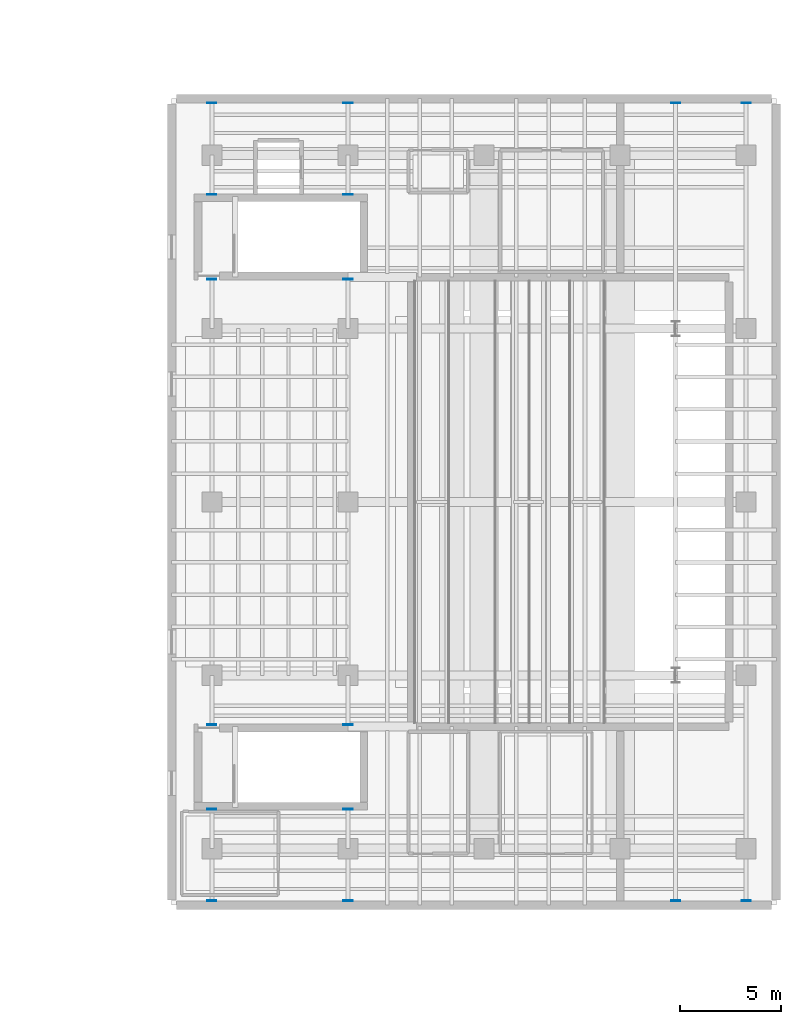
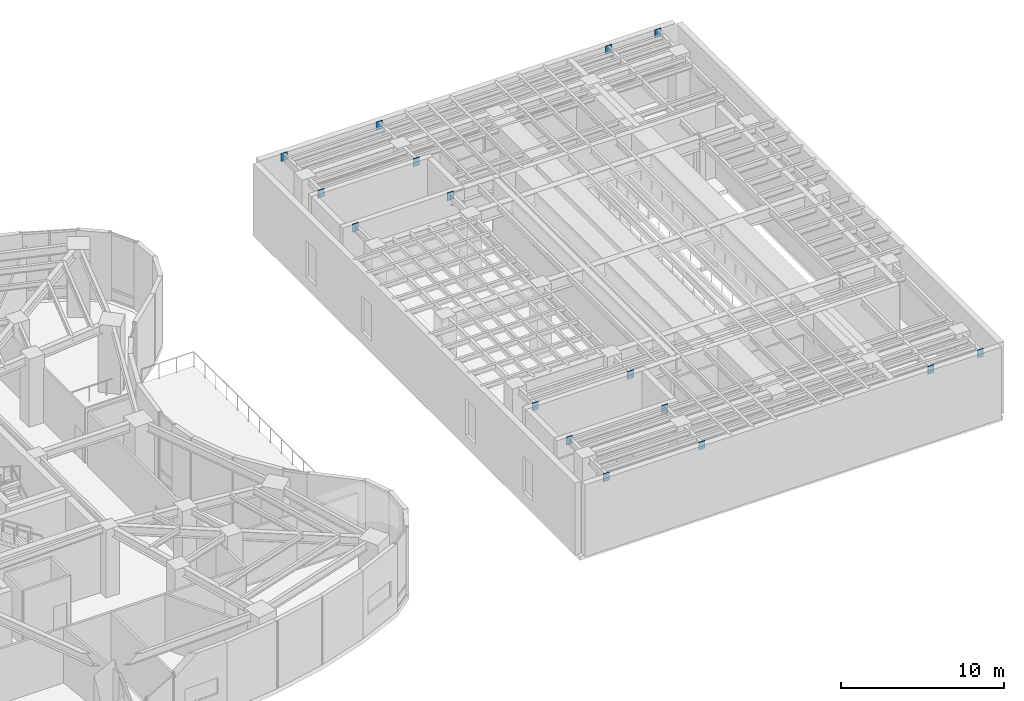
# One storey, part 11 of 19: 16 plates.
"""IFC4 building model written with IfcOpenShell, lengths in metres."""

from ifc_helpers import new_model, si_unit, direction, frame, origin, origin_2d, place, context, subcontext, project, spatial, rectangle, extrude, material, layer, layer_set, type_object, element, save


model = new_model("IFC4")

# Units and contexts
model_context = context("Model", 3, precision=1e-05, world=origin(), true_north=direction((0.0, 1.0)))
body_context = subcontext(model_context, "Body", "Model", "MODEL_VIEW")
ifc_project = project(units=[si_unit("LENGTHUNIT", "METRE"), si_unit("AREAUNIT", "SQUARE_METRE"), si_unit("VOLUMEUNIT", "CUBIC_METRE"), si_unit("PLANEANGLEUNIT", "RADIAN"), si_unit("MASSUNIT", "GRAM", prefix="KILO")], contexts=[model_context])

# Site, building, storey
site_placement = place(None, origin())
site = spatial("IfcSite", under=ifc_project, at=site_placement, CompositionType="ELEMENT")
building_placement = place(site_placement, origin())
building = spatial("IfcBuilding", under=site, at=building_placement, Name="Korentha Bioscience Tower", CompositionType="ELEMENT")
storey_placement = place(building_placement, frame((0.0, 0.0, 20.39990234375)))
storey = spatial("IfcBuildingStorey", under=building, at=storey_placement, Name="L04", CompositionType="ELEMENT", Elevation=20.39990234375)

# Plates
ifc_material = material(Name="Steel S355", Category="steel")
ifc_layer = layer(ifc_material, 0.0400390625, Name="Steel S355")
ifc_layer_set = layer_set([ifc_layer], Name="Steel S355 (EP-01)")
plate_type = type_object("IfcPlateType", Name="Cast-In Shear Wall Embed Plate 450x600x40", PredefinedType="USERDEFINED", material=ifc_layer_set)
for number, where, z_axis, x_axis, name in (
    (1, (66.5, 7.2099609375, 4.83349609375), (0.0, 0.0, 1.0), (1.0, 0.0, 0.0), "L04 Collector Shear-Wall Embed Plate A-1-1"),
    (2, (66.5, 11.75, 4.83349609375), (0.0, 0.0, 1.0), (1.0, 0.0, 0.0), "L04 Collector Shear-Wall Embed Plate B-1-2"),
    (3, (66.5, 15.949951171875, 4.83349609375), (0.0, 0.0, 1.0), (1.0, 0.0, 0.0), "L04 Collector Shear-Wall Embed Plate A-1-3"),
    (4, (66.5, 38.050048828125, 4.83349609375), (0.0, 0.0, 1.0), (1.0, 0.0, 0.0), "L04 Collector Shear-Wall Embed Plate B-1-6"),
    (5, (66.5, 42.25, 4.83349609375), (0.0, 0.0, 1.0), (1.0, 0.0, 0.0), "L04 Collector Shear-Wall Embed Plate A-1-7"),
    (6, (66.5, 46.7900390625, 4.83349609375), (0.0, 0.0, 1.0), (1.0, 0.0, 0.0), "L04 Collector Shear-Wall Embed Plate B-1-8"),
    (7, (73.25, 7.2099609375, 4.83349609375), (0.0, 0.0, 1.0), (1.0, 0.0, 0.0), "L04 Collector Shear-Wall Embed Plate A-2-1"),
    (8, (73.25, 11.75, 4.83349609375), (0.0, 0.0, 1.0), (1.0, 0.0, 0.0), "L04 Collector Shear-Wall Embed Plate B-2-2"),
    (9, (73.25, 15.949951171875, 4.83349609375), (0.0, 0.0, 1.0), (1.0, 0.0, 0.0), "L04 Collector Shear-Wall Embed Plate A-2-3"),
    (10, (73.25, 38.050048828125, 4.83349609375), (0.0, 0.0, 1.0), (1.0, 0.0, 0.0), "L04 Collector Shear-Wall Embed Plate B-2-6"),
    (11, (73.25, 42.25, 4.83349609375), (0.0, 0.0, 1.0), (1.0, 0.0, 0.0), "L04 Collector Shear-Wall Embed Plate A-2-7"),
    (12, (73.25, 46.7900390625, 4.83349609375), (0.0, 0.0, 1.0), (1.0, 0.0, 0.0), "L04 Collector Shear-Wall Embed Plate B-2-8"),
    (13, (89.5, 7.2099609375, 4.83349609375), (0.0, 0.0, 1.0), (1.0, 0.0, 0.0), "L04 Collector Shear-Wall Embed Plate A-3-1"),
    (14, (89.5, 46.7900390625, 4.83349609375), (0.0, 0.0, 1.0), (1.0, 0.0, 0.0), "L04 Collector Shear-Wall Embed Plate B-3-3"),
    (15, (93.0, 7.2099609375, 4.83349609375), (0.0, 0.0, 1.0), (1.0, 0.0, 0.0), "L04 Collector Shear-Wall Embed Plate A-4-1"),
    (16, (93.0, 46.7900390625, 4.83349609375), (0.0, 0.0, 1.0), (1.0, 0.0, 0.0), "L04 Collector Shear-Wall Embed Plate B-4-6"),
):
    element("IfcPlate", number, at=place(storey_placement, frame(where, z_axis=z_axis, x_axis=x_axis)), inside=storey, type_object=plate_type, Name=name, ObjectType="BASE_PLATE", PredefinedType="USERDEFINED", context=body_context, shape_type="SweptSolid", body=[
        extrude(rectangle(XDim=0.449951171875, YDim=0.0400390625, at=origin_2d()), origin(), (0.0, 0.0, 1.0), 0.60009765625),
    ])

save(model, "model.ifc")
